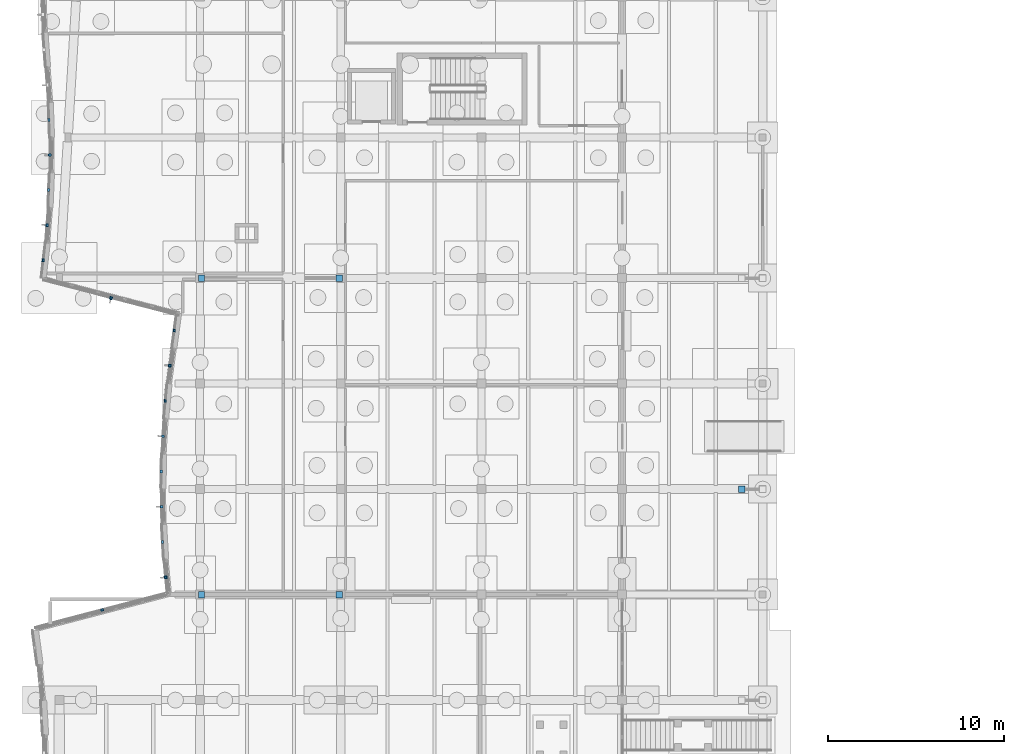
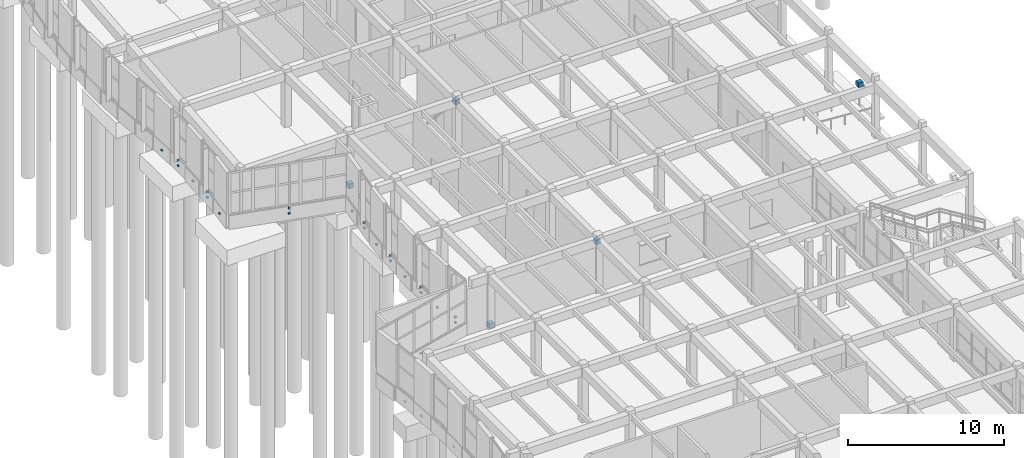
# One storey, part 76 of 99: 27 discrete accessories.
"""IFC4 building model written with IfcOpenShell, lengths in metres."""

from ifc_helpers import new_model, si_unit, direction, frame, origin, origin_2d, place, context, subcontext, project, spatial, rectangle, extrude, material, type_object, element, save


model = new_model("IFC4")

# Units and contexts
model_context = context("Model", 3, precision=1e-05, world=origin(), true_north=direction((0.0, 1.0)))
body_context = subcontext(model_context, "Body", "Model", "MODEL_VIEW")
ifc_project = project(units=[si_unit("LENGTHUNIT", "METRE"), si_unit("AREAUNIT", "SQUARE_METRE"), si_unit("VOLUMEUNIT", "CUBIC_METRE"), si_unit("PLANEANGLEUNIT", "RADIAN"), si_unit("MASSUNIT", "GRAM", prefix="KILO")], contexts=[model_context])

# Site, building, storey
site_placement = place(None, origin())
site = spatial("IfcSite", under=ifc_project, at=site_placement, CompositionType="ELEMENT")
building_placement = place(site_placement, origin())
building = spatial("IfcBuilding", under=site, at=building_placement, Name="Tonlespit Floodbar School", CompositionType="ELEMENT")
storey_placement = place(building_placement, origin())
storey = spatial("IfcBuildingStorey", under=building, at=storey_placement, Name="L00", CompositionType="ELEMENT", Elevation=0.0)

# Discrete accessories
ifc_material_1 = material(Name="Galvanised Steel", Category="steel")
discrete_accessory_type_1 = type_object("IfcDiscreteAccessoryType", Name="Bracket_Facade_S355", PredefinedType="BRACKET", material=ifc_material_1)
discrete_accessory_1_placement = place(storey_placement, frame((10.05224609375, 38.987548828125, 0.35498046875), z_axis=(0.0, 0.0, 1.0), x_axis=(-0.096153248998, 0.995366541887, 0.0)))
element("IfcDiscreteAccessory", 1, at=discrete_accessory_1_placement, inside=storey, type_object=discrete_accessory_type_1, Name="L00 white band support bracket 0485", PredefinedType="BRACKET", context=body_context, shape_type="SweptSolid", body=[
    extrude(rectangle(XDim=0.159912109375, YDim=0.1201171875, at=origin_2d()), origin(), (0.0, 0.0, 1.0), 0.1201171875),
])
discrete_accessory_2_placement = place(storey_placement, frame((10.042236328125, 38.986572265625, 0.7802734375), z_axis=(0.0, 0.0, 1.0), x_axis=(-0.096153248998, 0.995366541887, 0.0)))
element("IfcDiscreteAccessory", 2, at=discrete_accessory_2_placement, inside=storey, type_object=discrete_accessory_type_1, Name="Solar fin support bracket 113", PredefinedType="BRACKET", context=body_context, shape_type="SweptSolid", body=[
    extrude(rectangle(XDim=0.1201171875, YDim=0.179931640625, at=origin_2d()), origin(), (0.0, 0.0, 1.0), 0.139892578125),
])
for number, where, z_axis, x_axis, name in (
    (3, (9.867431640625, 40.99072265625, 0.3798828125), (0.0, 0.0, 1.0), (-0.057703421212, 0.998333769428, 0.0), "L00 white band support bracket 0486"),
    (4, (9.8203125, 42.99755859375, 0.35498046875), (0.0, 0.0, 1.0), (-0.01924630259, 0.999814772764, 0.0), "L00 white band support bracket 0487"),
):
    element("IfcDiscreteAccessory", number, at=place(storey_placement, frame(where, z_axis=z_axis, x_axis=x_axis)), inside=storey, type_object=discrete_accessory_type_1, Name=name, PredefinedType="BRACKET", context=body_context, shape_type="SweptSolid", body=[
        extrude(rectangle(XDim=0.159912109375, YDim=0.1201171875, at=origin_2d()), origin(), (0.0, 0.0, 1.0), 0.1201171875),
    ])
discrete_accessory_3_placement = place(storey_placement, frame((9.810302734375, 42.997314453125, 0.7802734375), z_axis=(0.0, 0.0, 1.0), x_axis=(-0.01924630259, 0.999814772764, 0.0)))
element("IfcDiscreteAccessory", 5, at=discrete_accessory_3_placement, inside=storey, type_object=discrete_accessory_type_1, Name="Solar fin support bracket 114", PredefinedType="BRACKET", context=body_context, shape_type="SweptSolid", body=[
    extrude(rectangle(XDim=0.1201171875, YDim=0.179931640625, at=origin_2d()), origin(), (0.0, 0.0, 1.0), 0.139892578125),
])
for number, where, z_axis, x_axis, name in (
    (6, (9.790283203125, 45.003173828125, 0.3798828125), (0.0, 0.0, 1.0), (0.01924630259, 0.999814772764, 0.0), "L00 white band support bracket 0488"),
    (7, (9.8974609375, 47.007568359375, 0.35498046875), (0.0, 0.0, 1.0), (0.057703421212, 0.998333769428, 0.0), "L00 white band support bracket 0489"),
):
    element("IfcDiscreteAccessory", number, at=place(storey_placement, frame(where, z_axis=z_axis, x_axis=x_axis)), inside=storey, type_object=discrete_accessory_type_1, Name=name, PredefinedType="BRACKET", context=body_context, shape_type="SweptSolid", body=[
        extrude(rectangle(XDim=0.159912109375, YDim=0.1201171875, at=origin_2d()), origin(), (0.0, 0.0, 1.0), 0.1201171875),
    ])
discrete_accessory_4_placement = place(storey_placement, frame((9.887451171875, 47.008056640625, 0.7802734375), z_axis=(0.0, 0.0, 1.0), x_axis=(0.057703421212, 0.998333769428, 0.0)))
element("IfcDiscreteAccessory", 8, at=discrete_accessory_4_placement, inside=storey, type_object=discrete_accessory_type_1, Name="Solar fin support bracket 115", PredefinedType="BRACKET", context=body_context, shape_type="SweptSolid", body=[
    extrude(rectangle(XDim=0.1201171875, YDim=0.179931640625, at=origin_2d()), origin(), (0.0, 0.0, 1.0), 0.139892578125),
])
for number, where, z_axis, x_axis, name in (
    (9, (10.022216796875, 49.015380859375, 0.3798828125), (0.0, 0.0, 1.0), (0.096153248998, 0.995366541887, 0.0), "L00 white band support bracket 0490"),
    (10, (10.285400390625, 51.017578125, 0.35498046875), (0.0, 0.0, 1.0), (0.134662424626, 0.990891533617, 0.0), "L00 white band support bracket 0491"),
):
    element("IfcDiscreteAccessory", number, at=place(storey_placement, frame(where, z_axis=z_axis, x_axis=x_axis)), inside=storey, type_object=discrete_accessory_type_1, Name=name, PredefinedType="BRACKET", context=body_context, shape_type="SweptSolid", body=[
        extrude(rectangle(XDim=0.159912109375, YDim=0.1201171875, at=origin_2d()), origin(), (0.0, 0.0, 1.0), 0.1201171875),
    ])
discrete_accessory_5_placement = place(storey_placement, frame((10.275390625, 51.018798828125, 0.7802734375), z_axis=(0.0, 0.0, 1.0), x_axis=(0.134662424626, 0.990891533617, 0.0)))
element("IfcDiscreteAccessory", 11, at=discrete_accessory_5_placement, inside=storey, type_object=discrete_accessory_type_1, Name="Solar fin support bracket 116", PredefinedType="BRACKET", context=body_context, shape_type="SweptSolid", body=[
    extrude(rectangle(XDim=0.1201171875, YDim=0.179931640625, at=origin_2d()), origin(), (0.0, 0.0, 1.0), 0.139892578125),
])
for number, where, z_axis, x_axis, name in (
    (12, (10.52734375, 53.021484375, 0.3798828125), (0.0, 0.0, 1.0), (0.134662424626, 0.990891533617, 0.0), "L00 white band support bracket 0492"),
    (13, (6.935791015625, 54.874267578125, 0.35498046875), (0.0, 0.0, 1.0), (-0.967937542799, 0.251190989567, 0.0), "L00 white band support bracket 0493"),
):
    element("IfcDiscreteAccessory", number, at=place(storey_placement, frame(where, z_axis=z_axis, x_axis=x_axis)), inside=storey, type_object=discrete_accessory_type_1, Name=name, PredefinedType="BRACKET", context=body_context, shape_type="SweptSolid", body=[
        extrude(rectangle(XDim=0.159912109375, YDim=0.1201171875, at=origin_2d()), origin(), (0.0, 0.0, 1.0), 0.1201171875),
    ])
discrete_accessory_6_placement = place(storey_placement, frame((6.93310546875, 54.864501953125, 0.7802734375), z_axis=(0.0, 0.0, 1.0), x_axis=(-0.967937542799, 0.251190989567, 0.0)))
element("IfcDiscreteAccessory", 14, at=discrete_accessory_6_placement, inside=storey, type_object=discrete_accessory_type_1, Name="Solar fin support bracket 117", PredefinedType="BRACKET", context=body_context, shape_type="SweptSolid", body=[
    extrude(rectangle(XDim=0.1201171875, YDim=0.179931640625, at=origin_2d()), origin(), (0.0, 0.0, 1.0), 0.139892578125),
])
for number, where, z_axis, x_axis, name in (
    (15, (3.073974609375, 57.018798828125, 0.3798828125), (0.0, 0.0, 1.0), (0.116991411823, 0.99313292643, 0.0), "L00 white band support bracket 0494"),
    (16, (3.30029296875, 59.01025390625, 0.35498046875), (0.0, 0.0, 1.0), (0.079001948152, 0.996874461599, 0.0), "L00 white band support bracket 0495"),
):
    element("IfcDiscreteAccessory", number, at=place(storey_placement, frame(where, z_axis=z_axis, x_axis=x_axis)), inside=storey, type_object=discrete_accessory_type_1, Name=name, PredefinedType="BRACKET", context=body_context, shape_type="SweptSolid", body=[
        extrude(rectangle(XDim=0.159912109375, YDim=0.1201171875, at=origin_2d()), origin(), (0.0, 0.0, 1.0), 0.1201171875),
    ])
discrete_accessory_7_placement = place(storey_placement, frame((3.290283203125, 59.010986328125, 0.7802734375), z_axis=(0.0, 0.0, 1.0), x_axis=(0.079001948152, 0.996874461599, 0.0)))
element("IfcDiscreteAccessory", 17, at=discrete_accessory_7_placement, inside=storey, type_object=discrete_accessory_type_1, Name="Solar fin support bracket 118", PredefinedType="BRACKET", context=body_context, shape_type="SweptSolid", body=[
    extrude(rectangle(XDim=0.1201171875, YDim=0.179931640625, at=origin_2d()), origin(), (0.0, 0.0, 1.0), 0.139892578125),
])
for number, where, z_axis, x_axis, name in (
    (18, (3.389892578125, 61.006591796875, 0.3798828125), (0.0, 0.0, 1.0), (0.040715999914, 0.999170759856, 0.0), "L00 white band support bracket 0496"),
    (19, (3.462890625, 63.000244140625, 0.35498046875), (0.0, 0.0, 1.0), (0.00220085841, 0.999997578108, 0.0), "L00 white band support bracket 0497"),
):
    element("IfcDiscreteAccessory", number, at=place(storey_placement, frame(where, z_axis=z_axis, x_axis=x_axis)), inside=storey, type_object=discrete_accessory_type_1, Name=name, PredefinedType="BRACKET", context=body_context, shape_type="SweptSolid", body=[
        extrude(rectangle(XDim=0.159912109375, YDim=0.1201171875, at=origin_2d()), origin(), (0.0, 0.0, 1.0), 0.1201171875),
    ])
discrete_accessory_8_placement = place(storey_placement, frame((3.452880859375, 63.000244140625, 0.7802734375), z_axis=(0.0, 0.0, 1.0), x_axis=(0.00220085841, 0.999997578108, 0.0)))
element("IfcDiscreteAccessory", 20, at=discrete_accessory_8_placement, inside=storey, type_object=discrete_accessory_type_1, Name="Solar fin support bracket 119", PredefinedType="BRACKET", context=body_context, shape_type="SweptSolid", body=[
    extrude(rectangle(XDim=0.1201171875, YDim=0.179931640625, at=origin_2d()), origin(), (0.0, 0.0, 1.0), 0.139892578125),
])
for number, where, z_axis, x_axis, name in (
    (21, (3.3984375, 64.994140625, 0.3798828125), (0.0, 0.0, 1.0), (-0.036575686496, 0.999330885722, 0.0), "L00 white band support bracket 0498"),
    (22, (6.43115234375, 37.125732421875, 0.35498046875), (0.0, 0.0, 1.0), (0.96730583052, 0.253612756466, 0.0), "L00 white band support bracket 0762"),
):
    element("IfcDiscreteAccessory", number, at=place(storey_placement, frame(where, z_axis=z_axis, x_axis=x_axis)), inside=storey, type_object=discrete_accessory_type_1, Name=name, PredefinedType="BRACKET", context=body_context, shape_type="SweptSolid", body=[
        extrude(rectangle(XDim=0.159912109375, YDim=0.1201171875, at=origin_2d()), origin(), (0.0, 0.0, 1.0), 0.1201171875),
    ])
ifc_material_2 = material(Name="Steel S355", Category="steel")
discrete_accessory_type_2 = type_object("IfcDiscreteAccessoryType", Name="GussetShoe_Brace_S355", PredefinedType="SHOE", material=ifc_material_2)
for number, where, z_axis, x_axis, name in (
    (23, (12.080078125, 56.0, -0.0302734375), (0.0, 0.0, 1.0), (1.0, 0.0, 0.0), "L00 brace and chord end gusset shoe 0019"),
    (24, (19.919921875, 56.0, 3.77001953125), (0.0, 0.0, 1.0), (1.0, 0.0, 0.0), "L00 brace and chord end gusset shoe 0020"),
    (25, (12.080078125, 38.0, -0.0302734375), (0.0, 0.0, 1.0), (1.0, 0.0, 0.0), "L00 brace and chord end gusset shoe 0035"),
    (26, (19.919921875, 38.0, 3.77001953125), (0.0, 0.0, 1.0), (1.0, 0.0, 0.0), "L00 brace and chord end gusset shoe 0036"),
    (27, (42.800048828125, 44.0, 4.39990234375), (0.0, 0.0, 1.0), (1.0, 0.0, 0.0), "L00 brace and chord end gusset shoe 0054"),
):
    element("IfcDiscreteAccessory", number, at=place(storey_placement, frame(where, z_axis=z_axis, x_axis=x_axis)), inside=storey, type_object=discrete_accessory_type_2, Name=name, PredefinedType="SHOE", context=body_context, shape_type="SweptSolid", body=[
        extrude(rectangle(XDim=0.360107421875, YDim=0.360107421875, at=origin_2d()), origin(), (0.0, 0.0, 1.0), 0.360107421875),
    ])

save(model, "model.ifc")
